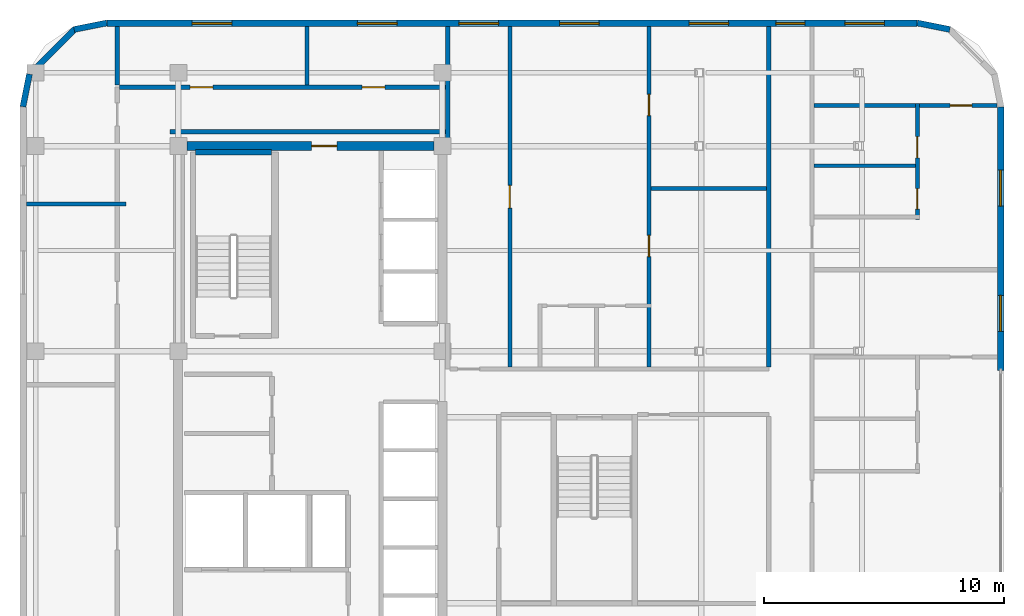
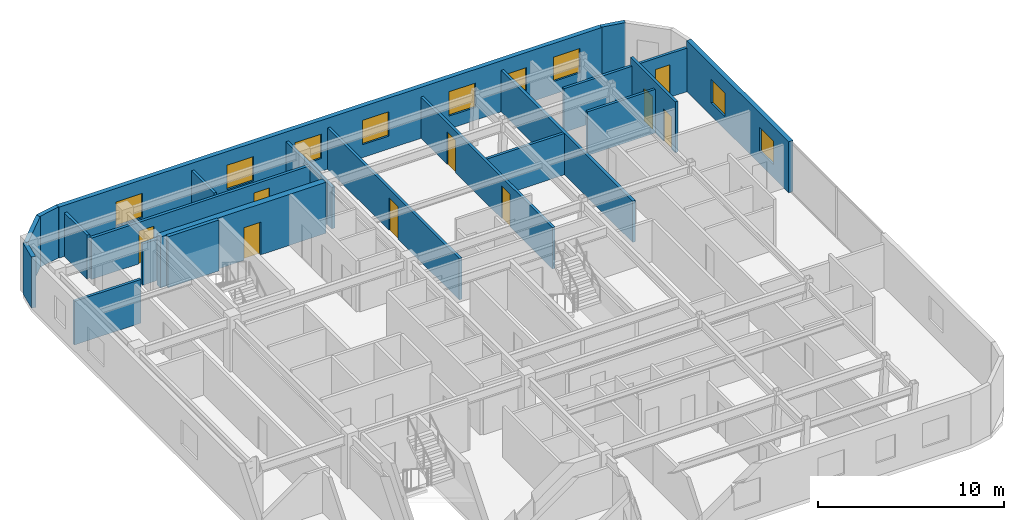
# One storey, part 7 of 9: 21 walls, 9 doors, 9 windows, 18 openings.
"""IFC4 building model written with IfcOpenShell, lengths in metres."""

from ifc_helpers import new_model, si_unit, direction, frame, frame_2d, origin, place, context, subcontext, project, spatial, rectangle, extrude, material, layer, layer_set, type_object, element, fill, save


model = new_model("IFC4")

# Units and contexts
model_context = context("Model", 3, precision=1e-05, world=origin(), true_north=direction((0.0, 1.0)))
body_context = subcontext(model_context, "Body", "Model", "MODEL_VIEW")
ifc_project = project(units=[si_unit("LENGTHUNIT", "METRE"), si_unit("AREAUNIT", "SQUARE_METRE"), si_unit("VOLUMEUNIT", "CUBIC_METRE"), si_unit("PLANEANGLEUNIT", "RADIAN"), si_unit("MASSUNIT", "GRAM", prefix="KILO")], contexts=[model_context])

# Site, building, storey
site_placement = place(None, origin())
site = spatial("IfcSite", under=ifc_project, at=site_placement, CompositionType="ELEMENT")
building_placement = place(site_placement, origin())
building = spatial("IfcBuilding", under=site, at=building_placement, Name="Ochreholt Gables", CompositionType="ELEMENT")
storey_placement = place(building_placement, frame((0.0, 0.0, 169.800048828125)))
storey = spatial("IfcBuildingStorey", under=building, at=storey_placement, Name="L44", CompositionType="ELEMENT", Elevation=169.800048828125)

# Wall, opening, door
ifc_material_1 = material(Name="Concrete 50 MPa", Category="concrete")
ifc_layer_1 = layer(ifc_material_1, 0.3798828125, Name="Concrete 50 MPa")
ifc_layer_set_1 = layer_set([ifc_layer_1], Name="Concrete 50 MPa")
wall_type_1 = type_object("IfcWallType", Name="WALL-CSW-380", PredefinedType="SHEAR", material=ifc_layer_set_1)
wall_1_placement = place(storey_placement, frame((24.550048828125, 38.75, 0.0), z_axis=(0.0, 0.0, 1.0), x_axis=(1.0, 0.0, 0.0)))
wall_1 = element("IfcWall", 1, at=wall_1_placement, inside=storey, type_object=wall_type_1, Name="L44 Core North Shear Wall", PredefinedType="SHEAR", context=body_context, shape_type="SweptSolid", body=[
    extrude(rectangle(XDim=10.300048828125, YDim=0.3798828125, at=frame_2d((5.14990234375, 0.0))), origin(), (0.0, 0.0, 1.0), 3.349853515625),
])
opening_1_placement = place(wall_1_placement, frame((5.199951171875, 0.0, 0.0)))
opening_1 = element("IfcOpeningElement", 2, at=opening_1_placement, cuts=wall_1, Name="Opening D-FLB", PredefinedType="OPENING", context=body_context, shape_type="SweptSolid", body=[
    extrude(rectangle(XDim=1.050048828125, YDim=2.14990234375, at=frame_2d((0.52490234375, 1.074951171875))), frame((0.0, 0.199951171875, 0.0), z_axis=(0.0, -1.0, 0.0), x_axis=(1.0, 0.0, 0.0)), (0.0, 0.0, 1.0), 0.39990234375),
])
ifc_material_2 = material(Name="Hollow Metal Steel", Category="steel")
door_type_1 = type_object("IfcDoorType", Name="DR-INT-FLB1050", OperationType="NOTDEFINED", PredefinedType="DOOR", material=ifc_material_2)
door_1_placement = place(opening_1_placement, frame((1.050048828125, 0.0, 0.0), z_axis=(0.0, 0.0, 1.0), x_axis=(-1.0, 0.0, 0.0)))
door_1 = element("IfcDoor", 3, at=door_1_placement, inside=storey, type_object=door_type_1, Name="L44 Door D-C2CRN-L44", OperationType="SINGLE_SWING_RIGHT", OverallHeight=2.14990234375, OverallWidth=1.050048828125, PredefinedType="DOOR", context=body_context, shape_type="SweptSolid", body=[
    extrude(rectangle(XDim=1.050048828125, YDim=2.14990234375, at=frame_2d((0.52490234375, 1.074951171875))), frame((0.0, 0.02490234375, 0.0), z_axis=(0.0, -1.0, 0.0), x_axis=(1.0, 0.0, 0.0)), (0.0, 0.0, 1.0), 0.050048828125),
])
fill(opening_1, door_1)

# Wall, openings, windows
ifc_material_3 = material(Name="Precast concrete 40 MPa", Category="concrete")
ifc_layer_2 = layer(ifc_material_3, 0.280029296875, Name="Precast concrete 40 MPa")
ifc_layer_set_2 = layer_set([ifc_layer_2], Name="Precast concrete 40 MPa")
wall_type_2 = type_object("IfcWallType", Name="WALL-EXT-280", PredefinedType="SOLIDWALL", material=ifc_layer_set_2)
wall_2_placement = place(storey_placement, frame((58.4599609375, 29.39990234375, 0.0), z_axis=(0.0, 0.0, 1.0), x_axis=(0.0, 1.0, 0.0)))
wall_2 = element("IfcWall", 4, at=wall_2_placement, inside=storey, type_object=wall_type_2, Name="L44 East Facade Wall 2", PredefinedType="SOLIDWALL", context=body_context, shape_type="SweptSolid", body=[
    extrude(rectangle(XDim=10.97998046875, YDim=0.280029296875, at=frame_2d((5.489990234375, 0.0))), origin(), (0.0, 0.0, 1.0), 3.349853515625),
])
opening_2_placement = place(wall_2_placement, frame((1.6298828125, 0.0, 0.85009765625)))
opening_2 = element("IfcOpeningElement", 5, at=opening_2_placement, cuts=wall_2, Name="Opening WN-2", PredefinedType="OPENING", context=body_context, shape_type="SweptSolid", body=[
    extrude(rectangle(XDim=1.5, YDim=1.550048828125, at=frame_2d((0.75, 0.77490234375))), frame((0.0, 0.14990234375, 0.0), z_axis=(0.0, -1.0, 0.0), x_axis=(1.0, 0.0, 0.0)), (0.0, 0.0, 1.0), 0.300048828125),
])
opening_3_placement = place(wall_2_placement, frame((6.840087890625, 0.0, 0.85009765625)))
opening_3 = element("IfcOpeningElement", 6, at=opening_3_placement, cuts=wall_2, Name="Opening WN-2", PredefinedType="OPENING", context=body_context, shape_type="SweptSolid", body=[
    extrude(rectangle(XDim=1.5, YDim=1.550048828125, at=frame_2d((0.75, 0.77490234375))), frame((0.0, 0.14990234375, 0.0), z_axis=(0.0, -1.0, 0.0), x_axis=(1.0, 0.0, 0.0)), (0.0, 0.0, 1.0), 0.300048828125),
])
ifc_material_4 = material(Name="Triple-Glazed Thermally Broken Aluminium Window", Category="aluminium")
window_type_1 = type_object("IfcWindowType", Name="WIN-RES-1500", PartitioningType="SINGLE_PANEL", PredefinedType="WINDOW", material=ifc_material_4)
window_1_placement = place(opening_2_placement, origin())
window_1 = element("IfcWindow", 7, at=window_1_placement, inside=storey, type_object=window_type_1, Name="L44 Window W-EXT-E2-L44-1", OverallHeight=1.550048828125, OverallWidth=1.5, PartitioningType="SINGLE_PANEL", PredefinedType="WINDOW", context=body_context, shape_type="SweptSolid", body=[
    extrude(rectangle(XDim=1.5, YDim=1.550048828125, at=frame_2d((0.75, 0.77490234375))), frame((0.0, 0.030029296875, 0.0), z_axis=(0.0, -1.0, 0.0), x_axis=(1.0, 0.0, 0.0)), (0.0, 0.0, 1.0), 0.06005859375),
])
fill(opening_2, window_1)
window_2_placement = place(opening_3_placement, origin())
window_2 = element("IfcWindow", 8, at=window_2_placement, inside=storey, type_object=window_type_1, Name="L44 Window W-EXT-E2-L44-2", OverallHeight=1.550048828125, OverallWidth=1.5, PartitioningType="SINGLE_PANEL", PredefinedType="WINDOW", context=body_context, shape_type="SweptSolid", body=[
    extrude(rectangle(XDim=1.5, YDim=1.550048828125, at=frame_2d((0.75, 0.77490234375))), frame((0.0, 0.030029296875, 0.0), z_axis=(0.0, -1.0, 0.0), x_axis=(1.0, 0.0, 0.0)), (0.0, 0.0, 1.0), 0.06005859375),
])
fill(opening_3, window_2)

wall_3_placement = place(storey_placement, frame((54.97998046875, 43.860107421875, 0.0), z_axis=(0.0, 0.0, 1.0), x_axis=(-1.0, 0.0, 0.0)))
wall_3 = element("IfcWall", 9, at=wall_3_placement, inside=storey, type_object=wall_type_2, Name="L44 North Exterior Wall", PredefinedType="SOLIDWALL", context=body_context, shape_type="SweptSolid", body=[
    extrude(rectangle(XDim=33.760009765625, YDim=0.280029296875, at=frame_2d((16.8798828125, 0.0))), origin(), (0.0, 0.0, 1.0), 3.349853515625),
])
opening_4_placement = place(wall_3_placement, frame((28.554931640625, 0.0, 0.85009765625)))
opening_4 = element("IfcOpeningElement", 10, at=opening_4_placement, cuts=wall_3, Name="Opening WN-7", PredefinedType="OPENING", context=body_context, shape_type="SweptSolid", body=[
    extrude(rectangle(XDim=1.64990234375, YDim=1.60009765625, at=frame_2d((0.824951171875, 0.800048828125))), frame((0.0, 0.14990234375, 0.0), z_axis=(0.0, -1.0, 0.0), x_axis=(1.0, 0.0, 0.0)), (0.0, 0.0, 1.0), 0.300048828125),
])
opening_5_placement = place(wall_3_placement, frame((21.669921875, 0.0, 0.85009765625)))
opening_5 = element("IfcOpeningElement", 11, at=opening_5_placement, cuts=wall_3, Name="Opening WN-7", PredefinedType="OPENING", context=body_context, shape_type="SweptSolid", body=[
    extrude(rectangle(XDim=1.64990234375, YDim=1.60009765625, at=frame_2d((0.824951171875, 0.800048828125))), frame((0.0, 0.14990234375, 0.0), z_axis=(0.0, -1.0, 0.0), x_axis=(1.0, 0.0, 0.0)), (0.0, 0.0, 1.0), 0.300048828125),
])
opening_6_placement = place(wall_3_placement, frame((17.43994140625, 0.0, 0.85009765625)))
opening_6 = element("IfcOpeningElement", 12, at=opening_6_placement, cuts=wall_3, Name="Opening WN-7", PredefinedType="OPENING", context=body_context, shape_type="SweptSolid", body=[
    extrude(rectangle(XDim=1.64990234375, YDim=1.60009765625, at=frame_2d((0.824951171875, 0.800048828125))), frame((0.0, 0.14990234375, 0.0), z_axis=(0.0, -1.0, 0.0), x_axis=(1.0, 0.0, 0.0)), (0.0, 0.0, 1.0), 0.300048828125),
])
opening_7_placement = place(wall_3_placement, frame((13.2451171875, 0.0, 0.85009765625)))
opening_7 = element("IfcOpeningElement", 13, at=opening_7_placement, cuts=wall_3, Name="Opening WN-7", PredefinedType="OPENING", context=body_context, shape_type="SweptSolid", body=[
    extrude(rectangle(XDim=1.64990234375, YDim=1.60009765625, at=frame_2d((0.824951171875, 0.800048828125))), frame((0.0, 0.14990234375, 0.0), z_axis=(0.0, -1.0, 0.0), x_axis=(1.0, 0.0, 0.0)), (0.0, 0.0, 1.0), 0.300048828125),
])
opening_8_placement = place(wall_3_placement, frame((7.85009765625, 0.0, 0.85009765625)))
opening_8 = element("IfcOpeningElement", 14, at=opening_8_placement, cuts=wall_3, Name="Opening WN-7", PredefinedType="OPENING", context=body_context, shape_type="SweptSolid", body=[
    extrude(rectangle(XDim=1.64990234375, YDim=1.60009765625, at=frame_2d((0.824951171875, 0.800048828125))), frame((0.0, 0.14990234375, 0.0), z_axis=(0.0, -1.0, 0.0), x_axis=(1.0, 0.0, 0.0)), (0.0, 0.0, 1.0), 0.300048828125),
])
opening_9_placement = place(wall_3_placement, frame((4.679931640625, 0.0, 0.85009765625)))
opening_9 = element("IfcOpeningElement", 15, at=opening_9_placement, cuts=wall_3, Name="Opening WN-3", PredefinedType="OPENING", context=body_context, shape_type="SweptSolid", body=[
    extrude(rectangle(XDim=1.199951171875, YDim=1.5, at=frame_2d((0.60009765625, 0.75))), frame((0.0, 0.14990234375, 0.0), z_axis=(0.0, -1.0, 0.0), x_axis=(1.0, 0.0, 0.0)), (0.0, 0.0, 1.0), 0.300048828125),
])
opening_10_placement = place(wall_3_placement, frame((1.364990234375, 0.0, 0.85009765625)))
opening_10 = element("IfcOpeningElement", 16, at=opening_10_placement, cuts=wall_3, Name="Opening WN-7", PredefinedType="OPENING", context=body_context, shape_type="SweptSolid", body=[
    extrude(rectangle(XDim=1.64990234375, YDim=1.60009765625, at=frame_2d((0.824951171875, 0.800048828125))), frame((0.0, 0.14990234375, 0.0), z_axis=(0.0, -1.0, 0.0), x_axis=(1.0, 0.0, 0.0)), (0.0, 0.0, 1.0), 0.300048828125),
])
window_type_2 = type_object("IfcWindowType", Name="WIN-RES-1200", PartitioningType="SINGLE_PANEL", PredefinedType="WINDOW", material=ifc_material_4)
window_3_placement = place(opening_9_placement, origin())
window_3 = element("IfcWindow", 17, at=window_3_placement, inside=storey, type_object=window_type_2, Name="L44 Window W-EXT-N-L44-6", OverallHeight=1.5, OverallWidth=1.199951171875, PartitioningType="SINGLE_PANEL", PredefinedType="WINDOW", context=body_context, shape_type="SweptSolid", body=[
    extrude(rectangle(XDim=1.199951171875, YDim=1.5, at=frame_2d((0.60009765625, 0.75))), frame((0.0, 0.030029296875, 0.0), z_axis=(0.0, -1.0, 0.0), x_axis=(1.0, 0.0, 0.0)), (0.0, 0.0, 1.0), 0.06005859375),
])
fill(opening_9, window_3)
window_type_3 = type_object("IfcWindowType", Name="WIN-RES-1650", PartitioningType="SINGLE_PANEL", PredefinedType="WINDOW", material=ifc_material_4)
window_4_placement = place(opening_4_placement, origin())
window_4 = element("IfcWindow", 18, at=window_4_placement, inside=storey, type_object=window_type_3, Name="L44 Window W-EXT-N-L44-1", OverallHeight=1.60009765625, OverallWidth=1.64990234375, PartitioningType="SINGLE_PANEL", PredefinedType="WINDOW", context=body_context, shape_type="SweptSolid", body=[
    extrude(rectangle(XDim=1.64990234375, YDim=1.60009765625, at=frame_2d((0.824951171875, 0.800048828125))), frame((0.0, 0.030029296875, 0.0), z_axis=(0.0, -1.0, 0.0), x_axis=(1.0, 0.0, 0.0)), (0.0, 0.0, 1.0), 0.06005859375),
])
fill(opening_4, window_4)
window_5_placement = place(opening_5_placement, origin())
window_5 = element("IfcWindow", 19, at=window_5_placement, inside=storey, type_object=window_type_3, Name="L44 Window W-EXT-N-L44-2", OverallHeight=1.60009765625, OverallWidth=1.64990234375, PartitioningType="SINGLE_PANEL", PredefinedType="WINDOW", context=body_context, shape_type="SweptSolid", body=[
    extrude(rectangle(XDim=1.64990234375, YDim=1.60009765625, at=frame_2d((0.824951171875, 0.800048828125))), frame((0.0, 0.030029296875, 0.0), z_axis=(0.0, -1.0, 0.0), x_axis=(1.0, 0.0, 0.0)), (0.0, 0.0, 1.0), 0.06005859375),
])
fill(opening_5, window_5)
window_6_placement = place(opening_6_placement, origin())
window_6 = element("IfcWindow", 20, at=window_6_placement, inside=storey, type_object=window_type_3, Name="L44 Window W-EXT-N-L44-3", OverallHeight=1.60009765625, OverallWidth=1.64990234375, PartitioningType="SINGLE_PANEL", PredefinedType="WINDOW", context=body_context, shape_type="SweptSolid", body=[
    extrude(rectangle(XDim=1.64990234375, YDim=1.60009765625, at=frame_2d((0.824951171875, 0.800048828125))), frame((0.0, 0.030029296875, 0.0), z_axis=(0.0, -1.0, 0.0), x_axis=(1.0, 0.0, 0.0)), (0.0, 0.0, 1.0), 0.06005859375),
])
fill(opening_6, window_6)
window_7_placement = place(opening_7_placement, origin())
window_7 = element("IfcWindow", 21, at=window_7_placement, inside=storey, type_object=window_type_3, Name="L44 Window W-EXT-N-L44-4", OverallHeight=1.60009765625, OverallWidth=1.64990234375, PartitioningType="SINGLE_PANEL", PredefinedType="WINDOW", context=body_context, shape_type="SweptSolid", body=[
    extrude(rectangle(XDim=1.64990234375, YDim=1.60009765625, at=frame_2d((0.824951171875, 0.800048828125))), frame((0.0, 0.030029296875, 0.0), z_axis=(0.0, -1.0, 0.0), x_axis=(1.0, 0.0, 0.0)), (0.0, 0.0, 1.0), 0.06005859375),
])
fill(opening_7, window_7)
window_8_placement = place(opening_8_placement, origin())
window_8 = element("IfcWindow", 22, at=window_8_placement, inside=storey, type_object=window_type_3, Name="L44 Window W-EXT-N-L44-5", OverallHeight=1.60009765625, OverallWidth=1.64990234375, PartitioningType="SINGLE_PANEL", PredefinedType="WINDOW", context=body_context, shape_type="SweptSolid", body=[
    extrude(rectangle(XDim=1.64990234375, YDim=1.60009765625, at=frame_2d((0.824951171875, 0.800048828125))), frame((0.0, 0.030029296875, 0.0), z_axis=(0.0, -1.0, 0.0), x_axis=(1.0, 0.0, 0.0)), (0.0, 0.0, 1.0), 0.06005859375),
])
fill(opening_8, window_8)
window_9_placement = place(opening_10_placement, origin())
window_9 = element("IfcWindow", 23, at=window_9_placement, inside=storey, type_object=window_type_3, Name="L44 Window W-EXT-N-L44-7", OverallHeight=1.60009765625, OverallWidth=1.64990234375, PartitioningType="SINGLE_PANEL", PredefinedType="WINDOW", context=body_context, shape_type="SweptSolid", body=[
    extrude(rectangle(XDim=1.64990234375, YDim=1.60009765625, at=frame_2d((0.824951171875, 0.800048828125))), frame((0.0, 0.030029296875, 0.0), z_axis=(0.0, -1.0, 0.0), x_axis=(1.0, 0.0, 0.0)), (0.0, 0.0, 1.0), 0.06005859375),
])
fill(opening_10, window_9)

# Walls
ifc_layer_3 = layer(ifc_material_3, 0.25, Name="Precast concrete 40 MPa")
ifc_layer_set_3 = layer_set([ifc_layer_3], Name="Precast concrete 40 MPa")
wall_type_3 = type_object("IfcWallType", Name="WALL-EXT-CNR", PredefinedType="SOLIDWALL", material=ifc_layer_set_3)
for number, where, z_axis, x_axis, name in (
    (24, (56.345458984375, 43.60498046875, 0.0), (0.0, 0.0, 1.0), (-0.980809899341, 0.19496651342, 0.0), "L44 Rounded Corner Wall NE-3"),
    (25, (21.216552734375, 43.875732421875, 0.0), (0.0, 0.0, 1.0), (-0.980809899341, -0.19496651342, 0.0), "L44 Rounded Corner Wall NW-1"),
):
    element("IfcWall", number, at=place(storey_placement, frame(where, z_axis=z_axis, x_axis=x_axis)), inside=storey, type_object=wall_type_3, Name=name, PredefinedType="SOLIDWALL", context=body_context, shape_type="SweptSolid", body=[
        extrude(rectangle(XDim=1.388671875, YDim=0.25, at=frame_2d((0.6943359375, 0.0))), origin(), (0.0, 0.0, 1.0), 3.349853515625),
    ])
wall_4_placement = place(storey_placement, frame((19.905029296875, 43.632080078125, 0.0), z_axis=(0.0, 0.0, 1.0), x_axis=(-0.707106781187, -0.707106781187, 0.0)))
element("IfcWall", 26, at=wall_4_placement, inside=storey, type_object=wall_type_3, Name="L44 Rounded Corner Wall NW-2", PredefinedType="SOLIDWALL", context=body_context, shape_type="SweptSolid", body=[
    extrude(rectangle(XDim=2.7392578125, YDim=0.25, at=frame_2d((1.36962890625, 0.0))), origin(), (0.0, 0.0, 1.0), 3.349853515625),
])
wall_5_placement = place(storey_placement, frame((17.9951171875, 41.74560546875, 0.0), z_axis=(0.0, 0.0, 1.0), x_axis=(-0.195135625965, -0.9807762678, 0.0)))
element("IfcWall", 27, at=wall_5_placement, inside=storey, type_object=wall_type_3, Name="L44 Rounded Corner Wall NW-3", PredefinedType="SOLIDWALL", context=body_context, shape_type="SweptSolid", body=[
    extrude(rectangle(XDim=1.388671875, YDim=0.25, at=frame_2d((0.6943359375, 0.0))), origin(), (0.0, 0.0, 1.0), 3.349853515625),
])

# Wall, openings, doors
ifc_material_5 = material(Name="Fire-Rated Gypsum Acoustic Partition", Category="gypsum")
ifc_layer_4 = layer(ifc_material_5, 0.179931640625, Name="Fire-Rated Gypsum Acoustic Partition")
ifc_layer_set_4 = layer_set([ifc_layer_4], Name="Fire-Rated Gypsum Acoustic Partition")
wall_type_4 = type_object("IfcWallType", Name="WALL-INT-CR180", PredefinedType="STANDARD", material=ifc_layer_set_4)
wall_6_placement = place(storey_placement, frame((21.739990234375, 41.199951171875, 0.0), z_axis=(0.0, 0.0, 1.0), x_axis=(1.0, 0.0, 0.0)))
wall_6 = element("IfcWall", 28, at=wall_6_placement, inside=storey, type_object=wall_type_4, Name="L44 Interior Wall WI-C2WCN-L44", PredefinedType="STANDARD", context=body_context, shape_type="SweptSolid", body=[
    extrude(rectangle(XDim=13.679931640625, YDim=0.179931640625, at=frame_2d((6.83984375, 0.0))), origin(), (0.0, 0.0, 1.0), 2.719970703125),
])
opening_11_placement = place(wall_6_placement, frame((2.949951171875, 0.0, 0.0)))
opening_11 = element("IfcOpeningElement", 29, at=opening_11_placement, cuts=wall_6, Name="Opening D-GN1", PredefinedType="OPENING", context=body_context, shape_type="SweptSolid", body=[
    extrude(rectangle(XDim=0.949951171875, YDim=2.14990234375, at=frame_2d((0.47509765625, 1.074951171875))), frame((0.0, 0.099853515625, 0.0), z_axis=(0.0, -1.0, 0.0), x_axis=(1.0, 0.0, 0.0)), (0.0, 0.0, 1.0), 0.199951171875),
])
opening_12_placement = place(wall_6_placement, frame((10.110107421875, 0.0, 0.0)))
opening_12 = element("IfcOpeningElement", 30, at=opening_12_placement, cuts=wall_6, Name="Opening D-GN1", PredefinedType="OPENING", context=body_context, shape_type="SweptSolid", body=[
    extrude(rectangle(XDim=0.949951171875, YDim=2.14990234375, at=frame_2d((0.47509765625, 1.074951171875))), frame((0.0, 0.099853515625, 0.0), z_axis=(0.0, -1.0, 0.0), x_axis=(1.0, 0.0, 0.0)), (0.0, 0.0, 1.0), 0.199951171875),
])
ifc_material_6 = material(Name="Engineered Oak Timber", Category="wood")
door_type_2 = type_object("IfcDoorType", Name="DR-INT-GEN950", OperationType="NOTDEFINED", PredefinedType="DOOR", material=ifc_material_6)
door_2_placement = place(opening_11_placement, origin())
door_2 = element("IfcDoor", 31, at=door_2_placement, inside=storey, type_object=door_type_2, Name="L44 Door D-C2NRS1-L44", OperationType="SINGLE_SWING_RIGHT", OverallHeight=2.14990234375, OverallWidth=0.949951171875, PredefinedType="DOOR", context=body_context, shape_type="SweptSolid", body=[
    extrude(rectangle(XDim=0.949951171875, YDim=2.14990234375, at=frame_2d((0.47509765625, 1.074951171875))), frame((0.0, 0.02490234375, 0.0), z_axis=(0.0, -1.0, 0.0), x_axis=(1.0, 0.0, 0.0)), (0.0, 0.0, 1.0), 0.050048828125),
])
fill(opening_11, door_2)
door_3_placement = place(opening_12_placement, origin())
door_3 = element("IfcDoor", 32, at=door_3_placement, inside=storey, type_object=door_type_2, Name="L44 Door D-C2NRS2-L44", OperationType="SINGLE_SWING_LEFT", OverallHeight=2.14990234375, OverallWidth=0.949951171875, PredefinedType="DOOR", context=body_context, shape_type="SweptSolid", body=[
    extrude(rectangle(XDim=0.949951171875, YDim=2.14990234375, at=frame_2d((0.47509765625, 1.074951171875))), frame((0.0, 0.02490234375, 0.0), z_axis=(0.0, -1.0, 0.0), x_axis=(1.0, 0.0, 0.0)), (0.0, 0.0, 1.0), 0.050048828125),
])
fill(opening_12, door_3)

# Walls
wall_7_placement = place(storey_placement, frame((23.85009765625, 39.35009765625, 0.0), z_axis=(0.0, 0.0, 1.0), x_axis=(1.0, 0.0, 0.0)))
element("IfcWall", 33, at=wall_7_placement, inside=storey, type_object=wall_type_4, Name="L44 Interior Wall WI-C2WCN2-L44", PredefinedType="STANDARD", context=body_context, shape_type="SweptSolid", body=[
    extrude(rectangle(XDim=11.56982421875, YDim=0.179931640625, at=frame_2d((5.784912109375, 0.0))), origin(), (0.0, 0.0, 1.0), 2.719970703125),
])
wall_8_placement = place(storey_placement, frame((48.800048828125, 29.550048828125, 0.0), z_axis=(0.0, 0.0, 1.0), x_axis=(0.0, 1.0, 0.0)))
element("IfcWall", 34, at=wall_8_placement, inside=storey, type_object=wall_type_4, Name="L44 Interior Wall WI-C2FEGW3-L44", PredefinedType="STANDARD", context=body_context, shape_type="SweptSolid", body=[
    extrude(rectangle(XDim=14.169921875, YDim=0.179931640625, at=frame_2d((7.0849609375, 0.0))), origin(), (0.0, 0.0, 1.0), 2.719970703125),
])
ifc_material_7 = material(Name="Double-Stud Acoustic Demising Wall", Category="gypsum")
ifc_layer_5 = layer(ifc_material_7, 0.179931640625, Name="Double-Stud Acoustic Demising Wall")
ifc_layer_set_5 = layer_set([ifc_layer_5], Name="Double-Stud Acoustic Demising Wall")
wall_type_5 = type_object("IfcWallType", Name="WALL-INT-DM180", PredefinedType="PARTITIONING", material=ifc_layer_set_5)
wall_9_placement = place(storey_placement, frame((21.64990234375, 41.2900390625, 0.0), z_axis=(0.0, 0.0, 1.0), x_axis=(0.0, 1.0, 0.0)))
element("IfcWall", 35, at=wall_9_placement, inside=storey, type_object=wall_type_5, Name="L44 Interior Wall WI-C2WWN-L44", PredefinedType="PARTITIONING", context=body_context, shape_type="SweptSolid", body=[
    extrude(rectangle(XDim=2.429931640625, YDim=0.179931640625, at=frame_2d((1.21484375, 0.0))), origin(), (0.0, 0.0, 1.0), 2.868896484375),
])
wall_10_placement = place(storey_placement, frame((35.419921875, 38.75, 0.0), z_axis=(0.0, 0.0, 1.0), x_axis=(0.0, 1.0, 0.0)))
element("IfcWall", 36, at=wall_10_placement, inside=storey, type_object=wall_type_5, Name="L44 Interior Wall WI-C2NEN-L44", PredefinedType="PARTITIONING", context=body_context, shape_type="SweptSolid", body=[
    extrude(rectangle(XDim=4.969970703125, YDim=0.179931640625, at=frame_2d((2.48486328125, 0.0))), origin(), (0.0, 0.0, 1.0), 2.719970703125),
])

# Wall, openings, doors
ifc_material_8 = material(Name="Moisture-Resistant Plumbing Chase Wall", Category="gypsum")
ifc_layer_6 = layer(ifc_material_8, 0.159912109375, Name="Moisture-Resistant Plumbing Chase Wall")
ifc_layer_set_6 = layer_set([ifc_layer_6], Name="Moisture-Resistant Plumbing Chase Wall")
wall_type_6 = type_object("IfcWallType", Name="WALL-INT-PL160", PredefinedType="PLUMBINGWALL", material=ifc_layer_set_6)
wall_11_placement = place(storey_placement, frame((54.989990234375, 35.697021484375, 0.0), z_axis=(0.0, 0.0, 1.0), x_axis=(0.0, 1.0, 0.0)))
wall_11 = element("IfcWall", 37, at=wall_11_placement, inside=storey, type_object=wall_type_6, Name="L44 Interior Wall WU-L44FE3-WX", PredefinedType="PLUMBINGWALL", context=body_context, shape_type="SweptSolid", body=[
    extrude(rectangle(XDim=4.829833984375, YDim=0.159912109375, at=frame_2d((2.4150390625, 0.0))), origin(), (0.0, 0.0, 1.0), 3.349853515625),
])
opening_13_placement = place(wall_11_placement, frame((0.419921875, 0.0, 0.0)))
opening_13 = element("IfcOpeningElement", 38, at=opening_13_placement, cuts=wall_11, Name="Opening D-BT1", PredefinedType="OPENING", context=body_context, shape_type="SweptSolid", body=[
    extrude(rectangle(XDim=0.860107421875, YDim=2.1201171875, at=frame_2d((0.43017578125, 1.06005859375))), frame((0.0, 0.08984375, 0.0), z_axis=(0.0, -1.0, 0.0), x_axis=(1.0, 0.0, 0.0)), (0.0, 0.0, 1.0), 0.179931640625),
])
opening_14_placement = place(wall_11_placement, frame((2.55908203125, 0.0, 0.0)))
opening_14 = element("IfcOpeningElement", 39, at=opening_14_placement, cuts=wall_11, Name="Opening D-GN2", PredefinedType="OPENING", context=body_context, shape_type="SweptSolid", body=[
    extrude(rectangle(XDim=0.8798828125, YDim=2.1201171875, at=frame_2d((0.43994140625, 1.06005859375))), frame((0.0, 0.08984375, 0.0), z_axis=(0.0, -1.0, 0.0), x_axis=(1.0, 0.0, 0.0)), (0.0, 0.0, 1.0), 0.179931640625),
])
door_type_3 = type_object("IfcDoorType", Name="DR-INT-BTH860", OperationType="NOTDEFINED", PredefinedType="DOOR", material=ifc_material_6)
door_4_placement = place(opening_13_placement, origin())
door_4 = element("IfcDoor", 40, at=door_4_placement, inside=storey, type_object=door_type_3, Name="L44 Door D-U-L44FE3-BTH", OperationType="SINGLE_SWING_LEFT", OverallHeight=2.1201171875, OverallWidth=0.860107421875, PredefinedType="DOOR", context=body_context, shape_type="SweptSolid", body=[
    extrude(rectangle(XDim=0.860107421875, YDim=2.1201171875, at=frame_2d((0.43017578125, 1.06005859375))), frame((0.0, 0.02490234375, 0.0), z_axis=(0.0, -1.0, 0.0), x_axis=(1.0, 0.0, 0.0)), (0.0, 0.0, 1.0), 0.050048828125),
])
fill(opening_13, door_4)
door_type_4 = type_object("IfcDoorType", Name="DR-INT-GEN880", OperationType="NOTDEFINED", PredefinedType="DOOR", material=ifc_material_6)
door_5_placement = place(opening_14_placement, origin())
door_5 = element("IfcDoor", 41, at=door_5_placement, inside=storey, type_object=door_type_4, Name="L44 Door D-U-L44FE3-KIT", OperationType="SINGLE_SWING_RIGHT", OverallHeight=2.1201171875, OverallWidth=0.8798828125, PredefinedType="DOOR", context=body_context, shape_type="SweptSolid", body=[
    extrude(rectangle(XDim=0.8798828125, YDim=2.1201171875, at=frame_2d((0.43994140625, 1.06005859375))), frame((0.0, 0.02490234375, 0.0), z_axis=(0.0, -1.0, 0.0), x_axis=(1.0, 0.0, 0.0)), (0.0, 0.0, 1.0), 0.050048828125),
])
fill(opening_14, door_5)

# Wall
wall_12_placement = place(storey_placement, frame((50.68994140625, 37.92578125, 0.0), z_axis=(0.0, 0.0, 1.0), x_axis=(1.0, 0.0, 0.0)))
element("IfcWall", 42, at=wall_12_placement, inside=storey, type_object=wall_type_6, Name="L44 Interior Wall WU-L44FE3-WK", PredefinedType="PLUMBINGWALL", context=body_context, shape_type="SweptSolid", body=[
    extrude(rectangle(XDim=4.219970703125, YDim=0.159912109375, at=frame_2d((2.10986328125, 0.0))), origin(), (0.0, 0.0, 1.0), 2.868896484375),
])

# Wall, openings, doors
ifc_material_9 = material(Name="Gypsum Acoustic Stud Partition", Category="gypsum")
ifc_layer_7 = layer(ifc_material_9, 0.1650390625, Name="Gypsum Acoustic Stud Partition")
ifc_layer_set_7 = layer_set([ifc_layer_7], Name="Gypsum Acoustic Stud Partition")
wall_type_7 = type_object("IfcWallType", Name="WALL-INT-PT165", PredefinedType="PARTITIONING", material=ifc_layer_set_7)
wall_13_placement = place(storey_placement, frame((43.81005859375, 29.550048828125, 0.0), z_axis=(0.0, 0.0, 1.0), x_axis=(0.0, 1.0, 0.0)))
wall_13 = element("IfcWall", 43, at=wall_13_placement, inside=storey, type_object=wall_type_7, Name="L44 Interior Wall WU-L44N1-MNX", PredefinedType="PARTITIONING", context=body_context, shape_type="SweptSolid", body=[
    extrude(rectangle(XDim=14.169921875, YDim=0.1650390625, at=frame_2d((7.0849609375, 0.0))), origin(), (0.0, 0.0, 1.0), 2.719970703125),
])
opening_15_placement = place(wall_13_placement, frame((4.592529296875, 0.0, 0.0)))
opening_15 = element("IfcOpeningElement", 44, at=opening_15_placement, cuts=wall_13, Name="Opening D-BD2", PredefinedType="OPENING", context=body_context, shape_type="SweptSolid", body=[
    extrude(rectangle(XDim=0.8798828125, YDim=2.139892578125, at=frame_2d((0.43994140625, 1.06982421875))), frame((0.0, 0.092529296875, 0.0), z_axis=(0.0, -1.0, 0.0), x_axis=(1.0, 0.0, 0.0)), (0.0, 0.0, 1.0), 0.18505859375),
])
opening_16_placement = place(wall_13_placement, frame((10.469970703125, 0.0, 0.0)))
opening_16 = element("IfcOpeningElement", 45, at=opening_16_placement, cuts=wall_13, Name="Opening D-BD2", PredefinedType="OPENING", context=body_context, shape_type="SweptSolid", body=[
    extrude(rectangle(XDim=0.8798828125, YDim=2.139892578125, at=frame_2d((0.43994140625, 1.06982421875))), frame((0.0, 0.092529296875, 0.0), z_axis=(0.0, -1.0, 0.0), x_axis=(1.0, 0.0, 0.0)), (0.0, 0.0, 1.0), 0.18505859375),
])
door_type_5 = type_object("IfcDoorType", Name="DR-INT-BED880", OperationType="NOTDEFINED", PredefinedType="DOOR", material=ifc_material_6)
door_6_placement = place(opening_15_placement, origin())
door_6 = element("IfcDoor", 46, at=door_6_placement, inside=storey, type_object=door_type_5, Name="L44 Door D-U-L44N1-BD1", OperationType="SINGLE_SWING_LEFT", OverallHeight=2.139892578125, OverallWidth=0.8798828125, PredefinedType="DOOR", context=body_context, shape_type="SweptSolid", body=[
    extrude(rectangle(XDim=0.8798828125, YDim=2.139892578125, at=frame_2d((0.43994140625, 1.06982421875))), frame((0.0, 0.02490234375, 0.0), z_axis=(0.0, -1.0, 0.0), x_axis=(1.0, 0.0, 0.0)), (0.0, 0.0, 1.0), 0.050048828125),
])
fill(opening_15, door_6)
door_7_placement = place(opening_16_placement, origin())
door_7 = element("IfcDoor", 47, at=door_7_placement, inside=storey, type_object=door_type_5, Name="L44 Door D-U-L44N1-BD2", OperationType="SINGLE_SWING_RIGHT", OverallHeight=2.139892578125, OverallWidth=0.8798828125, PredefinedType="DOOR", context=body_context, shape_type="SweptSolid", body=[
    extrude(rectangle(XDim=0.8798828125, YDim=2.139892578125, at=frame_2d((0.43994140625, 1.06982421875))), frame((0.0, 0.02490234375, 0.0), z_axis=(0.0, -1.0, 0.0), x_axis=(1.0, 0.0, 0.0)), (0.0, 0.0, 1.0), 0.050048828125),
])
fill(opening_16, door_7)

# Wall, opening, door
wall_14_placement = place(storey_placement, frame((38.010009765625, 29.550048828125, 0.0), z_axis=(0.0, 0.0, 1.0), x_axis=(0.0, 1.0, 0.0)))
wall_14 = element("IfcWall", 48, at=wall_14_placement, inside=storey, type_object=wall_type_7, Name="L44 Interior Wall WU-L44N1-DNX", PredefinedType="PARTITIONING", context=body_context, shape_type="SweptSolid", body=[
    extrude(rectangle(XDim=14.169921875, YDim=0.1650390625, at=frame_2d((7.0849609375, 0.0))), origin(), (0.0, 0.0, 1.0), 2.719970703125),
])
opening_17_placement = place(wall_14_placement, frame((6.610107421875, 0.0, 0.0)))
opening_17 = element("IfcOpeningElement", 49, at=opening_17_placement, cuts=wall_14, Name="Opening D-GN1", PredefinedType="OPENING", context=body_context, shape_type="SweptSolid", body=[
    extrude(rectangle(XDim=0.949951171875, YDim=2.14990234375, at=frame_2d((0.47509765625, 1.074951171875))), frame((0.0, 0.092529296875, 0.0), z_axis=(0.0, -1.0, 0.0), x_axis=(1.0, 0.0, 0.0)), (0.0, 0.0, 1.0), 0.18505859375),
])
door_8_placement = place(opening_17_placement, origin())
door_8 = element("IfcDoor", 50, at=door_8_placement, inside=storey, type_object=door_type_2, Name="L44 Door D-U-L44N1-DIN", OperationType="SINGLE_SWING_RIGHT", OverallHeight=2.14990234375, OverallWidth=0.949951171875, PredefinedType="DOOR", context=body_context, shape_type="SweptSolid", body=[
    extrude(rectangle(XDim=0.949951171875, YDim=2.14990234375, at=frame_2d((0.47509765625, 1.074951171875))), frame((0.0, 0.02490234375, 0.0), z_axis=(0.0, -1.0, 0.0), x_axis=(1.0, 0.0, 0.0)), (0.0, 0.0, 1.0), 0.050048828125),
])
fill(opening_17, door_8)

# Wall
wall_15_placement = place(storey_placement, frame((43.889892578125, 36.97998046875, 0.0), z_axis=(0.0, 0.0, 1.0), x_axis=(1.0, 0.0, 0.0)))
element("IfcWall", 51, at=wall_15_placement, inside=storey, type_object=wall_type_7, Name="L44 Interior Wall WU-L44N1-RDV", PredefinedType="PARTITIONING", context=body_context, shape_type="SweptSolid", body=[
    extrude(rectangle(XDim=4.820068359375, YDim=0.1650390625, at=frame_2d((2.41015625, 0.0))), origin(), (0.0, 0.0, 1.0), 2.719970703125),
])

# Wall, opening, door
wall_16_placement = place(storey_placement, frame((50.68994140625, 40.43701171875, 0.0), z_axis=(0.0, 0.0, 1.0), x_axis=(1.0, 0.0, 0.0)))
wall_16 = element("IfcWall", 52, at=wall_16_placement, inside=storey, type_object=wall_type_7, Name="L44 Interior Wall WU-L44FE3-MN", PredefinedType="PARTITIONING", context=body_context, shape_type="SweptSolid", body=[
    extrude(rectangle(XDim=7.622314453125, YDim=0.1650390625, at=frame_2d((3.81103515625, 0.0))), origin(), (0.0, 0.0, 1.0), 2.868896484375),
])
opening_18_placement = place(wall_16_placement, frame((5.669921875, 0.0, 0.0)))
opening_18 = element("IfcOpeningElement", 53, at=opening_18_placement, cuts=wall_16, Name="Opening D-BD1", PredefinedType="OPENING", context=body_context, shape_type="SweptSolid", body=[
    extrude(rectangle(XDim=0.89990234375, YDim=2.139892578125, at=frame_2d((0.449951171875, 1.06982421875))), frame((0.0, 0.092529296875, 0.0), z_axis=(0.0, -1.0, 0.0), x_axis=(1.0, 0.0, 0.0)), (0.0, 0.0, 1.0), 0.18505859375),
])
door_type_6 = type_object("IfcDoorType", Name="DR-INT-BED900", OperationType="NOTDEFINED", PredefinedType="DOOR", material=ifc_material_6)
door_9_placement = place(opening_18_placement, origin())
door_9 = element("IfcDoor", 54, at=door_9_placement, inside=storey, type_object=door_type_6, Name="L44 Door D-U-L44FE3-BD1", OperationType="SINGLE_SWING_LEFT", OverallHeight=2.139892578125, OverallWidth=0.89990234375, PredefinedType="DOOR", context=body_context, shape_type="SweptSolid", body=[
    extrude(rectangle(XDim=0.89990234375, YDim=2.139892578125, at=frame_2d((0.449951171875, 1.06982421875))), frame((0.0, 0.02490234375, 0.0), z_axis=(0.0, -1.0, 0.0), x_axis=(1.0, 0.0, 0.0)), (0.0, 0.0, 1.0), 0.050048828125),
])
fill(opening_18, door_9)

# Walls
wall_17_placement = place(storey_placement, frame((17.8798828125, 36.324951171875, 0.0), z_axis=(0.0, 0.0, 1.0), x_axis=(1.0, 0.0, 0.0)))
element("IfcWall", 55, at=wall_17_placement, inside=storey, type_object=wall_type_7, Name="L44 Interior Wall WU-L44W2-SDV", PredefinedType="PARTITIONING", context=body_context, shape_type="SweptSolid", body=[
    extrude(rectangle(XDim=4.130126953125, YDim=0.1650390625, at=frame_2d((2.06494140625, 0.0))), origin(), (0.0, 0.0, 1.0), 2.868896484375),
])
wall_18_placement = place(storey_placement, frame((29.550048828125, 41.2900390625, 0.0), z_axis=(0.0, 0.0, 1.0), x_axis=(0.0, 1.0, 0.0)))
element("IfcWall", 56, at=wall_18_placement, inside=storey, type_object=wall_type_7, Name="L44 Interior Wall WI-C2PKN-L44", PredefinedType="PARTITIONING", context=body_context, shape_type="SweptSolid", body=[
    extrude(rectangle(XDim=2.429931640625, YDim=0.1650390625, at=frame_2d((1.21484375, 0.0))), origin(), (0.0, 0.0, 1.0), 2.868896484375),
])
ifc_layer_8 = layer(ifc_material_1, 0.219970703125, Name="Concrete 50 MPa")
ifc_layer_set_8 = layer_set([ifc_layer_8], Name="Concrete 50 MPa")
wall_type_8 = type_object("IfcWallType", Name="WALL-STW-220", PredefinedType="SHEAR", material=ifc_layer_set_8)
wall_19_placement = place(storey_placement, frame((24.919921875, 38.489990234375, 0.0), z_axis=(0.0, 0.0, 1.0), x_axis=(1.0, 0.0, 0.0)))
element("IfcWall", 57, at=wall_19_placement, inside=storey, type_object=wall_type_8, Name="L44 Exit Stair 2 North Wall", PredefinedType="SHEAR", context=body_context, shape_type="SweptSolid", body=[
    extrude(rectangle(XDim=3.16015625, YDim=0.219970703125, at=frame_2d((1.580078125, 0.0))), origin(), (0.0, 0.0, 1.0), 3.349853515625),
])

save(model, "model.ifc")
